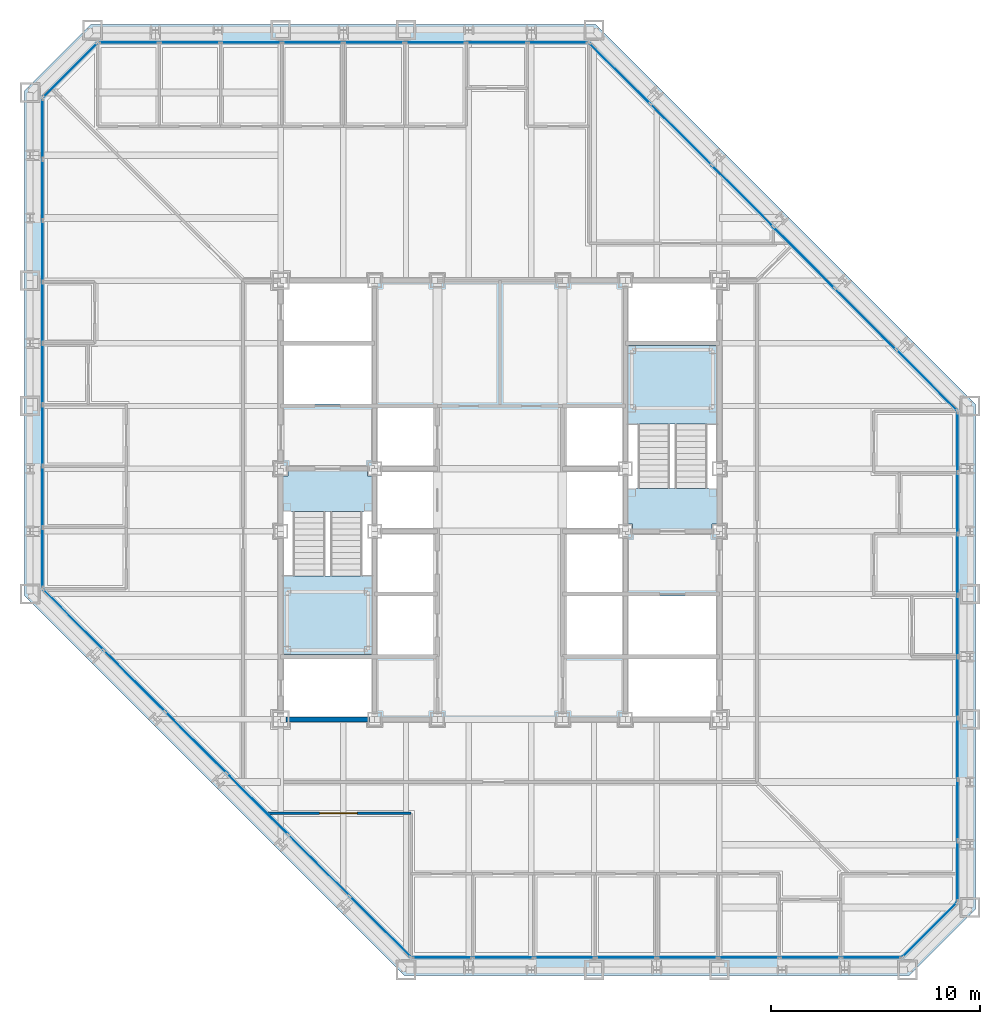
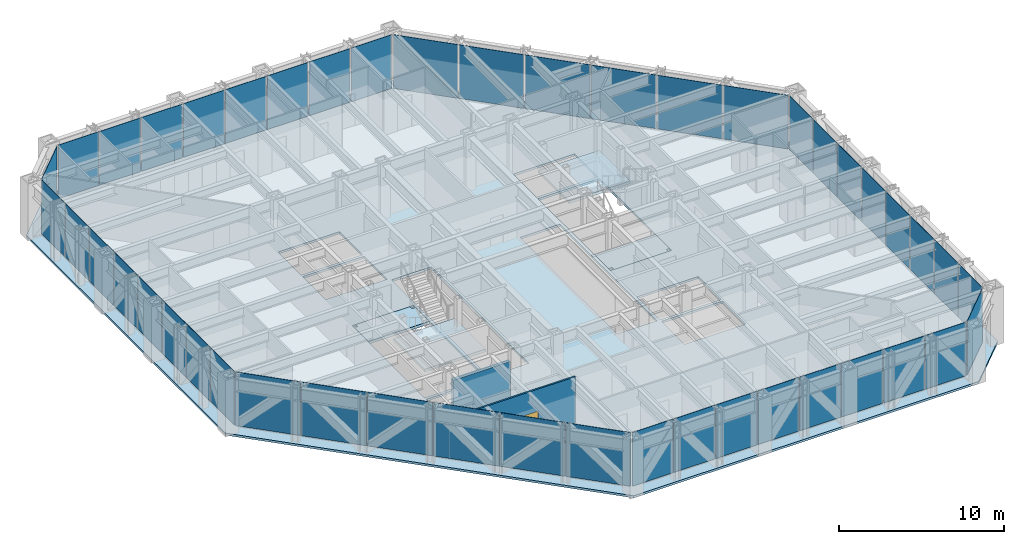
# One storey, part 9 of 17: 46 plates, 5 slabs, 2 walls, 1 door, 1 opening, 10 elements without a shape of their own.
"""IFC4 building model written with IfcOpenShell, lengths in metres."""

from ifc_helpers import new_model, si_unit, direction, frame, frame_2d, origin, origin_2d, place, context, subcontext, project, spatial, polyline, rectangle, outline, extrude, material, layer, layer_set, type_object, element, fill, aggregate, save


model = new_model("IFC4")

# Units and contexts
model_context = context("Model", 3, precision=1e-05, world=origin(), true_north=direction((0.0, 1.0)))
body_context = subcontext(model_context, "Body", "Model", "MODEL_VIEW")
ifc_project = project(units=[si_unit("LENGTHUNIT", "METRE"), si_unit("AREAUNIT", "SQUARE_METRE"), si_unit("VOLUMEUNIT", "CUBIC_METRE"), si_unit("PLANEANGLEUNIT", "RADIAN"), si_unit("MASSUNIT", "GRAM", prefix="KILO")], contexts=[model_context])

# Site, building, storey
site_placement = place(None, origin())
site = spatial("IfcSite", under=ifc_project, at=site_placement, CompositionType="ELEMENT")
building_placement = place(site_placement, origin())
building = spatial("IfcBuilding", under=site, at=building_placement, Name="Chuquiago Exchange Tower", CompositionType="ELEMENT")
storey_placement = place(building_placement, frame((0.0, 0.0, 136.199951171875)))
storey = spatial("IfcBuildingStorey", under=building, at=storey_placement, Name="L29", CompositionType="ELEMENT", Elevation=136.199951171875)

# Curtain wall, plates
ifc_material_1 = material(Name="Aluminium curtain wall system", Category="aluminium")
ifc_layer_1 = layer(ifc_material_1, 0.22509765625)
ifc_layer_set_1 = layer_set([ifc_layer_1], Name="CW2 office curtain wall")
curtain_wall_type_1 = type_object("IfcCurtainWallType", Name="CW2 office curtain wall", PredefinedType="NOTDEFINED", material=ifc_layer_set_1)
curtain_wall_1_placement = place(storey_placement, origin())
curtain_wall_1 = element("IfcCurtainWall", 1, at=curtain_wall_1_placement, inside=storey, type_object=curtain_wall_type_1, Name="CW2 curtain wall L29", PredefinedType="NOTDEFINED")
ifc_material_2 = material(Name="Glass, insulating unit", Category="glass")
ifc_layer_2 = layer(ifc_material_2, 0.030029296875)
ifc_layer_set_2 = layer_set([ifc_layer_2], Name="CW2-P panel 30")
plate_type_1 = type_object("IfcPlateType", Name="CW2-P panel 30", PredefinedType="CURTAIN_PANEL", material=ifc_layer_set_2)
plate_1_placement = place(storey_placement, frame((25.59326171875, 0.60009765625, 0.06494140625), z_axis=(0.0, 0.0, 1.0), x_axis=(1.0, 0.0, 0.0)))
plate_1 = element("IfcPlate", 2, at=plate_1_placement, type_object=plate_type_1, Name="CW2 panel 3.1", PredefinedType="CURTAIN_PANEL", context=body_context, shape_type="SweptSolid", body=[
    extrude(rectangle(XDim=2.872802734375, YDim=0.030029296875, at=origin_2d()), origin(), (0.0, 0.0, 1.0), 3.97509765625),
])
plate_2_placement = place(storey_placement, frame((34.40673828125, 0.60009765625, 0.06494140625), z_axis=(0.0, 0.0, 1.0), x_axis=(1.0, 0.0, 0.0)))
plate_2 = element("IfcPlate", 3, at=plate_2_placement, type_object=plate_type_1, Name="CW2 panel 6.1", PredefinedType="CURTAIN_PANEL", context=body_context, shape_type="SweptSolid", body=[
    extrude(rectangle(XDim=2.872802734375, YDim=0.030029296875, at=origin_2d()), origin(), (0.0, 0.0, 1.0), 3.97509765625),
])

curtain_wall_2_placement = place(storey_placement, origin())
curtain_wall_2 = element("IfcCurtainWall", 4, at=curtain_wall_2_placement, inside=storey, type_object=curtain_wall_type_1, Name="CW2 curtain wall L29", PredefinedType="NOTDEFINED")
plate_3_placement = place(storey_placement, frame((44.39990234375, 10.59326171875, 0.06494140625), z_axis=(0.0, 0.0, 1.0), x_axis=(0.0, 1.0, 0.0)))
plate_3 = element("IfcPlate", 5, at=plate_3_placement, type_object=plate_type_1, Name="CW2 panel 3.1", PredefinedType="CURTAIN_PANEL", context=body_context, shape_type="SweptSolid", body=[
    extrude(rectangle(XDim=2.872802734375, YDim=0.030029296875, at=origin_2d()), origin(), (0.0, 0.0, 1.0), 3.97509765625),
])
plate_4_placement = place(storey_placement, frame((44.39990234375, 19.40673828125, 0.06494140625), z_axis=(0.0, 0.0, 1.0), x_axis=(0.0, 1.0, 0.0)))
plate_4 = element("IfcPlate", 6, at=plate_4_placement, type_object=plate_type_1, Name="CW2 panel 6.1", PredefinedType="CURTAIN_PANEL", context=body_context, shape_type="SweptSolid", body=[
    extrude(rectangle(XDim=2.872802734375, YDim=0.030029296875, at=origin_2d()), origin(), (0.0, 0.0, 1.0), 3.97509765625),
])

curtain_wall_3_placement = place(storey_placement, origin())
curtain_wall_3 = element("IfcCurtainWall", 7, at=curtain_wall_3_placement, inside=storey, type_object=curtain_wall_type_1, Name="CW2 curtain wall L29", PredefinedType="NOTDEFINED")
plate_5_placement = place(storey_placement, frame((19.40673828125, 44.39990234375, 0.06494140625), z_axis=(0.0, 0.0, 1.0), x_axis=(-1.0, 0.0, 0.0)))
plate_5 = element("IfcPlate", 8, at=plate_5_placement, type_object=plate_type_1, Name="CW2 panel 3.1", PredefinedType="CURTAIN_PANEL", context=body_context, shape_type="SweptSolid", body=[
    extrude(rectangle(XDim=2.872802734375, YDim=0.030029296875, at=origin_2d()), origin(), (0.0, 0.0, 1.0), 3.97509765625),
])
plate_6_placement = place(storey_placement, frame((10.59326171875, 44.39990234375, 0.06494140625), z_axis=(0.0, 0.0, 1.0), x_axis=(-1.0, 0.0, 0.0)))
plate_6 = element("IfcPlate", 9, at=plate_6_placement, type_object=plate_type_1, Name="CW2 panel 6.1", PredefinedType="CURTAIN_PANEL", context=body_context, shape_type="SweptSolid", body=[
    extrude(rectangle(XDim=2.872802734375, YDim=0.030029296875, at=origin_2d()), origin(), (0.0, 0.0, 1.0), 3.97509765625),
])

curtain_wall_4_placement = place(storey_placement, origin())
curtain_wall_4 = element("IfcCurtainWall", 10, at=curtain_wall_4_placement, inside=storey, type_object=curtain_wall_type_1, Name="CW2 curtain wall L29", PredefinedType="NOTDEFINED")
plate_7_placement = place(storey_placement, frame((0.60009765625, 34.40673828125, 0.06494140625), z_axis=(0.0, 0.0, 1.0), x_axis=(0.0, -1.0, 0.0)))
plate_7 = element("IfcPlate", 11, at=plate_7_placement, type_object=plate_type_1, Name="CW2 panel 3.1", PredefinedType="CURTAIN_PANEL", context=body_context, shape_type="SweptSolid", body=[
    extrude(rectangle(XDim=2.872802734375, YDim=0.030029296875, at=origin_2d()), origin(), (0.0, 0.0, 1.0), 3.97509765625),
])
plate_8_placement = place(storey_placement, frame((0.60009765625, 25.59326171875, 0.06494140625), z_axis=(0.0, 0.0, 1.0), x_axis=(0.0, -1.0, 0.0)))
plate_8 = element("IfcPlate", 12, at=plate_8_placement, type_object=plate_type_1, Name="CW2 panel 6.1", PredefinedType="CURTAIN_PANEL", context=body_context, shape_type="SweptSolid", body=[
    extrude(rectangle(XDim=2.872802734375, YDim=0.030029296875, at=origin_2d()), origin(), (0.0, 0.0, 1.0), 3.97509765625),
])

# Plate
ifc_material_3 = material(Name="Insulated spandrel panel, pale anodised aluminium", Category="aluminium")
ifc_layer_3 = layer(ifc_material_3, 0.030029296875)
ifc_layer_set_3 = layer_set([ifc_layer_3], Name="CW2-P spandrel panel 30")
plate_type_2 = type_object("IfcPlateType", Name="CW2-P spandrel panel 30", PredefinedType="CURTAIN_PANEL", material=ifc_layer_set_3)
plate_9_placement = place(storey_placement, frame((19.733642578125, 0.60009765625, 0.06494140625), z_axis=(0.0, 0.0, 1.0), x_axis=(1.0, 0.0, 0.0)))
plate_9 = element("IfcPlate", 13, at=plate_9_placement, type_object=plate_type_2, Name="CW2 panel 1.1", PredefinedType="CURTAIN_PANEL", context=body_context, shape_type="SweptSolid", body=[
    extrude(rectangle(XDim=2.84033203125, YDim=0.030029296875, at=origin_2d()), origin(), (0.0, 0.0, 1.0), 3.97509765625),
])

plate_10_placement = place(storey_placement, frame((22.6552734375, 0.60009765625, 0.06494140625), z_axis=(0.0, 0.0, 1.0), x_axis=(1.0, 0.0, 0.0)))
plate_10 = element("IfcPlate", 14, at=plate_10_placement, type_object=plate_type_2, Name="CW2 panel 2.1", PredefinedType="CURTAIN_PANEL", context=body_context, shape_type="SweptSolid", body=[
    extrude(rectangle(XDim=2.872802734375, YDim=0.030029296875, at=origin_2d()), origin(), (0.0, 0.0, 1.0), 3.97509765625),
])

plate_11_placement = place(storey_placement, frame((28.531005859375, 0.60009765625, 0.06494140625), z_axis=(0.0, 0.0, 1.0), x_axis=(1.0, 0.0, 0.0)))
plate_11 = element("IfcPlate", 15, at=plate_11_placement, type_object=plate_type_2, Name="CW2 panel 4.1", PredefinedType="CURTAIN_PANEL", context=body_context, shape_type="SweptSolid", body=[
    extrude(rectangle(XDim=2.872802734375, YDim=0.030029296875, at=origin_2d()), origin(), (0.0, 0.0, 1.0), 3.97509765625),
])

plate_12_placement = place(storey_placement, frame((31.468994140625, 0.60009765625, 0.06494140625), z_axis=(0.0, 0.0, 1.0), x_axis=(1.0, 0.0, 0.0)))
plate_12 = element("IfcPlate", 16, at=plate_12_placement, type_object=plate_type_2, Name="CW2 panel 5.1", PredefinedType="CURTAIN_PANEL", context=body_context, shape_type="SweptSolid", body=[
    extrude(rectangle(XDim=2.872802734375, YDim=0.030029296875, at=origin_2d()), origin(), (0.0, 0.0, 1.0), 3.97509765625),
])

plate_13_placement = place(storey_placement, frame((37.3447265625, 0.60009765625, 0.06494140625), z_axis=(0.0, 0.0, 1.0), x_axis=(1.0, 0.0, 0.0)))
plate_13 = element("IfcPlate", 17, at=plate_13_placement, type_object=plate_type_2, Name="CW2 panel 7.1", PredefinedType="CURTAIN_PANEL", context=body_context, shape_type="SweptSolid", body=[
    extrude(rectangle(XDim=2.872802734375, YDim=0.030029296875, at=origin_2d()), origin(), (0.0, 0.0, 1.0), 3.97509765625),
])

plate_14_placement = place(storey_placement, frame((40.266357421875, 0.60009765625, 0.06494140625), z_axis=(0.0, 0.0, 1.0), x_axis=(1.0, 0.0, 0.0)))
plate_14 = element("IfcPlate", 18, at=plate_14_placement, type_object=plate_type_2, Name="CW2 panel 8.1", PredefinedType="CURTAIN_PANEL", context=body_context, shape_type="SweptSolid", body=[
    extrude(rectangle(XDim=2.84033203125, YDim=0.030029296875, at=origin_2d()), origin(), (0.0, 0.0, 1.0), 3.97509765625),
])

aggregate(curtain_wall_1, [plate_9, plate_10, plate_1, plate_11, plate_12, plate_2, plate_13, plate_14])

plate_15_placement = place(storey_placement, frame((44.39990234375, 4.733642578125, 0.06494140625), z_axis=(0.0, 0.0, 1.0), x_axis=(0.0, 1.0, 0.0)))
plate_15 = element("IfcPlate", 19, at=plate_15_placement, type_object=plate_type_2, Name="CW2 panel 1.1", PredefinedType="CURTAIN_PANEL", context=body_context, shape_type="SweptSolid", body=[
    extrude(rectangle(XDim=2.84033203125, YDim=0.030029296875, at=origin_2d()), origin(), (0.0, 0.0, 1.0), 3.97509765625),
])

plate_16_placement = place(storey_placement, frame((44.39990234375, 7.6552734375, 0.06494140625), z_axis=(0.0, 0.0, 1.0), x_axis=(0.0, 1.0, 0.0)))
plate_16 = element("IfcPlate", 20, at=plate_16_placement, type_object=plate_type_2, Name="CW2 panel 2.1", PredefinedType="CURTAIN_PANEL", context=body_context, shape_type="SweptSolid", body=[
    extrude(rectangle(XDim=2.872802734375, YDim=0.030029296875, at=origin_2d()), origin(), (0.0, 0.0, 1.0), 3.97509765625),
])

plate_17_placement = place(storey_placement, frame((44.39990234375, 13.531005859375, 0.06494140625), z_axis=(0.0, 0.0, 1.0), x_axis=(0.0, 1.0, 0.0)))
plate_17 = element("IfcPlate", 21, at=plate_17_placement, type_object=plate_type_2, Name="CW2 panel 4.1", PredefinedType="CURTAIN_PANEL", context=body_context, shape_type="SweptSolid", body=[
    extrude(rectangle(XDim=2.872802734375, YDim=0.030029296875, at=origin_2d()), origin(), (0.0, 0.0, 1.0), 3.97509765625),
])

plate_18_placement = place(storey_placement, frame((44.39990234375, 16.468994140625, 0.06494140625), z_axis=(0.0, 0.0, 1.0), x_axis=(0.0, 1.0, 0.0)))
plate_18 = element("IfcPlate", 22, at=plate_18_placement, type_object=plate_type_2, Name="CW2 panel 5.1", PredefinedType="CURTAIN_PANEL", context=body_context, shape_type="SweptSolid", body=[
    extrude(rectangle(XDim=2.872802734375, YDim=0.030029296875, at=origin_2d()), origin(), (0.0, 0.0, 1.0), 3.97509765625),
])

plate_19_placement = place(storey_placement, frame((44.39990234375, 22.3447265625, 0.06494140625), z_axis=(0.0, 0.0, 1.0), x_axis=(0.0, 1.0, 0.0)))
plate_19 = element("IfcPlate", 23, at=plate_19_placement, type_object=plate_type_2, Name="CW2 panel 7.1", PredefinedType="CURTAIN_PANEL", context=body_context, shape_type="SweptSolid", body=[
    extrude(rectangle(XDim=2.872802734375, YDim=0.030029296875, at=origin_2d()), origin(), (0.0, 0.0, 1.0), 3.97509765625),
])

plate_20_placement = place(storey_placement, frame((44.39990234375, 25.266357421875, 0.06494140625), z_axis=(0.0, 0.0, 1.0), x_axis=(0.0, 1.0, 0.0)))
plate_20 = element("IfcPlate", 24, at=plate_20_placement, type_object=plate_type_2, Name="CW2 panel 8.1", PredefinedType="CURTAIN_PANEL", context=body_context, shape_type="SweptSolid", body=[
    extrude(rectangle(XDim=2.84033203125, YDim=0.030029296875, at=origin_2d()), origin(), (0.0, 0.0, 1.0), 3.97509765625),
])

aggregate(curtain_wall_2, [plate_15, plate_16, plate_3, plate_17, plate_18, plate_4, plate_19, plate_20])

plate_21_placement = place(storey_placement, frame((25.266357421875, 44.39990234375, 0.06494140625), z_axis=(0.0, 0.0, 1.0), x_axis=(-1.0, 0.0, 0.0)))
plate_21 = element("IfcPlate", 25, at=plate_21_placement, type_object=plate_type_2, Name="CW2 panel 1.1", PredefinedType="CURTAIN_PANEL", context=body_context, shape_type="SweptSolid", body=[
    extrude(rectangle(XDim=2.84033203125, YDim=0.030029296875, at=origin_2d()), origin(), (0.0, 0.0, 1.0), 3.97509765625),
])

plate_22_placement = place(storey_placement, frame((22.3447265625, 44.39990234375, 0.06494140625), z_axis=(0.0, 0.0, 1.0), x_axis=(-1.0, 0.0, 0.0)))
plate_22 = element("IfcPlate", 26, at=plate_22_placement, type_object=plate_type_2, Name="CW2 panel 2.1", PredefinedType="CURTAIN_PANEL", context=body_context, shape_type="SweptSolid", body=[
    extrude(rectangle(XDim=2.872802734375, YDim=0.030029296875, at=origin_2d()), origin(), (0.0, 0.0, 1.0), 3.97509765625),
])

plate_23_placement = place(storey_placement, frame((16.468994140625, 44.39990234375, 0.06494140625), z_axis=(0.0, 0.0, 1.0), x_axis=(-1.0, 0.0, 0.0)))
plate_23 = element("IfcPlate", 27, at=plate_23_placement, type_object=plate_type_2, Name="CW2 panel 4.1", PredefinedType="CURTAIN_PANEL", context=body_context, shape_type="SweptSolid", body=[
    extrude(rectangle(XDim=2.872802734375, YDim=0.030029296875, at=origin_2d()), origin(), (0.0, 0.0, 1.0), 3.97509765625),
])

plate_24_placement = place(storey_placement, frame((13.531005859375, 44.39990234375, 0.06494140625), z_axis=(0.0, 0.0, 1.0), x_axis=(-1.0, 0.0, 0.0)))
plate_24 = element("IfcPlate", 28, at=plate_24_placement, type_object=plate_type_2, Name="CW2 panel 5.1", PredefinedType="CURTAIN_PANEL", context=body_context, shape_type="SweptSolid", body=[
    extrude(rectangle(XDim=2.872802734375, YDim=0.030029296875, at=origin_2d()), origin(), (0.0, 0.0, 1.0), 3.97509765625),
])

plate_25_placement = place(storey_placement, frame((7.6552734375, 44.39990234375, 0.06494140625), z_axis=(0.0, 0.0, 1.0), x_axis=(-1.0, 0.0, 0.0)))
plate_25 = element("IfcPlate", 29, at=plate_25_placement, type_object=plate_type_2, Name="CW2 panel 7.1", PredefinedType="CURTAIN_PANEL", context=body_context, shape_type="SweptSolid", body=[
    extrude(rectangle(XDim=2.872802734375, YDim=0.030029296875, at=origin_2d()), origin(), (0.0, 0.0, 1.0), 3.97509765625),
])

plate_26_placement = place(storey_placement, frame((4.733642578125, 44.39990234375, 0.06494140625), z_axis=(0.0, 0.0, 1.0), x_axis=(-1.0, 0.0, 0.0)))
plate_26 = element("IfcPlate", 30, at=plate_26_placement, type_object=plate_type_2, Name="CW2 panel 8.1", PredefinedType="CURTAIN_PANEL", context=body_context, shape_type="SweptSolid", body=[
    extrude(rectangle(XDim=2.84033203125, YDim=0.030029296875, at=origin_2d()), origin(), (0.0, 0.0, 1.0), 3.97509765625),
])

aggregate(curtain_wall_3, [plate_21, plate_22, plate_5, plate_23, plate_24, plate_6, plate_25, plate_26])

plate_27_placement = place(storey_placement, frame((0.60009765625, 40.266357421875, 0.06494140625), z_axis=(0.0, 0.0, 1.0), x_axis=(0.0, -1.0, 0.0)))
plate_27 = element("IfcPlate", 31, at=plate_27_placement, type_object=plate_type_2, Name="CW2 panel 1.1", PredefinedType="CURTAIN_PANEL", context=body_context, shape_type="SweptSolid", body=[
    extrude(rectangle(XDim=2.84033203125, YDim=0.030029296875, at=origin_2d()), origin(), (0.0, 0.0, 1.0), 3.97509765625),
])

plate_28_placement = place(storey_placement, frame((0.60009765625, 37.3447265625, 0.06494140625), z_axis=(0.0, 0.0, 1.0), x_axis=(0.0, -1.0, 0.0)))
plate_28 = element("IfcPlate", 32, at=plate_28_placement, type_object=plate_type_2, Name="CW2 panel 2.1", PredefinedType="CURTAIN_PANEL", context=body_context, shape_type="SweptSolid", body=[
    extrude(rectangle(XDim=2.872802734375, YDim=0.030029296875, at=origin_2d()), origin(), (0.0, 0.0, 1.0), 3.97509765625),
])

plate_29_placement = place(storey_placement, frame((0.60009765625, 31.468994140625, 0.06494140625), z_axis=(0.0, 0.0, 1.0), x_axis=(0.0, -1.0, 0.0)))
plate_29 = element("IfcPlate", 33, at=plate_29_placement, type_object=plate_type_2, Name="CW2 panel 4.1", PredefinedType="CURTAIN_PANEL", context=body_context, shape_type="SweptSolid", body=[
    extrude(rectangle(XDim=2.872802734375, YDim=0.030029296875, at=origin_2d()), origin(), (0.0, 0.0, 1.0), 3.97509765625),
])

plate_30_placement = place(storey_placement, frame((0.60009765625, 28.531005859375, 0.06494140625), z_axis=(0.0, 0.0, 1.0), x_axis=(0.0, -1.0, 0.0)))
plate_30 = element("IfcPlate", 34, at=plate_30_placement, type_object=plate_type_2, Name="CW2 panel 5.1", PredefinedType="CURTAIN_PANEL", context=body_context, shape_type="SweptSolid", body=[
    extrude(rectangle(XDim=2.872802734375, YDim=0.030029296875, at=origin_2d()), origin(), (0.0, 0.0, 1.0), 3.97509765625),
])

plate_31_placement = place(storey_placement, frame((0.60009765625, 22.6552734375, 0.06494140625), z_axis=(0.0, 0.0, 1.0), x_axis=(0.0, -1.0, 0.0)))
plate_31 = element("IfcPlate", 35, at=plate_31_placement, type_object=plate_type_2, Name="CW2 panel 7.1", PredefinedType="CURTAIN_PANEL", context=body_context, shape_type="SweptSolid", body=[
    extrude(rectangle(XDim=2.872802734375, YDim=0.030029296875, at=origin_2d()), origin(), (0.0, 0.0, 1.0), 3.97509765625),
])

plate_32_placement = place(storey_placement, frame((0.60009765625, 19.733642578125, 0.06494140625), z_axis=(0.0, 0.0, 1.0), x_axis=(0.0, -1.0, 0.0)))
plate_32 = element("IfcPlate", 36, at=plate_32_placement, type_object=plate_type_2, Name="CW2 panel 8.1", PredefinedType="CURTAIN_PANEL", context=body_context, shape_type="SweptSolid", body=[
    extrude(rectangle(XDim=2.84033203125, YDim=0.030029296875, at=origin_2d()), origin(), (0.0, 0.0, 1.0), 3.97509765625),
])

aggregate(curtain_wall_4, [plate_27, plate_28, plate_7, plate_29, plate_30, plate_8, plate_31, plate_32])

# Curtain wall, plate
ifc_material_4 = material(Name="Aluminium curtain wall system", Category="aluminium")
ifc_layer_4 = layer(ifc_material_4, 0.199951171875)
ifc_layer_set_4 = layer_set([ifc_layer_4], Name="CW3 facet curtain wall")
curtain_wall_type_2 = type_object("IfcCurtainWallType", Name="CW3 facet curtain wall", PredefinedType="NOTDEFINED", material=ifc_layer_set_4)
curtain_wall_5_placement = place(storey_placement, origin())
curtain_wall_5 = element("IfcCurtainWall", 37, at=curtain_wall_5_placement, inside=storey, type_object=curtain_wall_type_2, Name="CW3 curtain wall L29", PredefinedType="NOTDEFINED")
ifc_material_5 = material(Name="Insulated spandrel panel, pale anodised aluminium", Category="aluminium")
ifc_layer_5 = layer(ifc_material_5, 0.030029296875)
ifc_layer_set_5 = layer_set([ifc_layer_5], Name="CW3-P spandrel panel 30")
plate_type_3 = type_object("IfcPlateType", Name="CW3-P spandrel panel 30", PredefinedType="CURTAIN_PANEL", material=ifc_layer_set_5)
plate_33_placement = place(storey_placement, frame((43.07568359375, 1.92431640625, 0.06494140625), z_axis=(0.0, 0.0, 1.0), x_axis=(0.707106781187, 0.707106781187, 0.0)))
plate_33 = element("IfcPlate", 38, at=plate_33_placement, type_object=plate_type_3, Name="CW3 panel 1.1", PredefinedType="CURTAIN_PANEL", context=body_context, shape_type="SweptSolid", body=[
    extrude(rectangle(XDim=3.615478515625, YDim=0.030029296875, at=origin_2d()), origin(), (0.0, 0.0, 1.0), 3.97509765625),
])
aggregate(curtain_wall_5, [plate_33])

# Curtain wall, plates
curtain_wall_6_placement = place(storey_placement, origin())
curtain_wall_6 = element("IfcCurtainWall", 39, at=curtain_wall_6_placement, inside=storey, type_object=curtain_wall_type_2, Name="CW3 curtain wall L29", PredefinedType="NOTDEFINED")
plate_34_placement = place(storey_placement, frame((42.917724609375, 28.233642578125, 0.06494140625), z_axis=(0.0, 0.0, 1.0), x_axis=(-0.707106781187, 0.707106781187, 0.0)))
plate_34 = element("IfcPlate", 40, at=plate_34_placement, type_object=plate_type_3, Name="CW3 panel 1.1", PredefinedType="CURTAIN_PANEL", context=body_context, shape_type="SweptSolid", body=[
    extrude(rectangle(XDim=4.062255859375, YDim=0.030029296875, at=origin_2d()), origin(), (0.0, 0.0, 1.0), 3.97509765625),
])
plate_35_placement = place(storey_placement, frame((39.98779296875, 31.16357421875, 0.06494140625), z_axis=(0.0, 0.0, 1.0), x_axis=(-0.707106781187, 0.707106781187, 0.0)))
plate_35 = element("IfcPlate", 41, at=plate_35_placement, type_object=plate_type_3, Name="CW3 panel 2.1", PredefinedType="CURTAIN_PANEL", context=body_context, shape_type="SweptSolid", body=[
    extrude(rectangle(XDim=4.0947265625, YDim=0.030029296875, at=origin_2d()), origin(), (0.0, 0.0, 1.0), 3.97509765625),
])
plate_36_placement = place(storey_placement, frame((37.04638671875, 34.10498046875, 0.06494140625), z_axis=(0.0, 0.0, 1.0), x_axis=(-0.707106781187, 0.707106781187, 0.0)))
plate_36 = element("IfcPlate", 42, at=plate_36_placement, type_object=plate_type_3, Name="CW3 panel 3.1", PredefinedType="CURTAIN_PANEL", context=body_context, shape_type="SweptSolid", body=[
    extrude(rectangle(XDim=4.0947265625, YDim=0.030029296875, at=origin_2d()), origin(), (0.0, 0.0, 1.0), 3.97509765625),
])
plate_37_placement = place(storey_placement, frame((34.10498046875, 37.04638671875, 0.06494140625), z_axis=(0.0, 0.0, 1.0), x_axis=(-0.707106781187, 0.707106781187, 0.0)))
plate_37 = element("IfcPlate", 43, at=plate_37_placement, type_object=plate_type_3, Name="CW3 panel 4.1", PredefinedType="CURTAIN_PANEL", context=body_context, shape_type="SweptSolid", body=[
    extrude(rectangle(XDim=4.0947265625, YDim=0.030029296875, at=origin_2d()), origin(), (0.0, 0.0, 1.0), 3.97509765625),
])
plate_38_placement = place(storey_placement, frame((31.16357421875, 39.98779296875, 0.06494140625), z_axis=(0.0, 0.0, 1.0), x_axis=(-0.707106781187, 0.707106781187, 0.0)))
plate_38 = element("IfcPlate", 44, at=plate_38_placement, type_object=plate_type_3, Name="CW3 panel 5.1", PredefinedType="CURTAIN_PANEL", context=body_context, shape_type="SweptSolid", body=[
    extrude(rectangle(XDim=4.0947265625, YDim=0.030029296875, at=origin_2d()), origin(), (0.0, 0.0, 1.0), 3.97509765625),
])
plate_39_placement = place(storey_placement, frame((28.233642578125, 42.917724609375, 0.06494140625), z_axis=(0.0, 0.0, 1.0), x_axis=(-0.707106781187, 0.707106781187, 0.0)))
plate_39 = element("IfcPlate", 45, at=plate_39_placement, type_object=plate_type_3, Name="CW3 panel 6.1", PredefinedType="CURTAIN_PANEL", context=body_context, shape_type="SweptSolid", body=[
    extrude(rectangle(XDim=4.062255859375, YDim=0.030029296875, at=origin_2d()), origin(), (0.0, 0.0, 1.0), 3.97509765625),
])
aggregate(curtain_wall_6, [plate_34, plate_35, plate_36, plate_37, plate_38, plate_39])

# Curtain wall, plate
curtain_wall_7_placement = place(storey_placement, origin())
curtain_wall_7 = element("IfcCurtainWall", 46, at=curtain_wall_7_placement, inside=storey, type_object=curtain_wall_type_2, Name="CW3 curtain wall L29", PredefinedType="NOTDEFINED")
plate_40_placement = place(storey_placement, frame((1.92431640625, 43.07568359375, 0.06494140625), z_axis=(0.0, 0.0, 1.0), x_axis=(-0.707106781187, -0.707106781187, 0.0)))
plate_40 = element("IfcPlate", 47, at=plate_40_placement, type_object=plate_type_3, Name="CW3 panel 1.1", PredefinedType="CURTAIN_PANEL", context=body_context, shape_type="SweptSolid", body=[
    extrude(rectangle(XDim=3.615478515625, YDim=0.030029296875, at=origin_2d()), origin(), (0.0, 0.0, 1.0), 3.97509765625),
])
aggregate(curtain_wall_7, [plate_40])

# Curtain wall, plates
curtain_wall_8_placement = place(storey_placement, origin())
curtain_wall_8 = element("IfcCurtainWall", 48, at=curtain_wall_8_placement, inside=storey, type_object=curtain_wall_type_2, Name="CW3 curtain wall L29", PredefinedType="NOTDEFINED")
plate_41_placement = place(storey_placement, frame((2.082275390625, 16.766357421875, 0.06494140625), z_axis=(0.0, 0.0, 1.0), x_axis=(0.707106781187, -0.707106781187, 0.0)))
plate_41 = element("IfcPlate", 49, at=plate_41_placement, type_object=plate_type_3, Name="CW3 panel 1.1", PredefinedType="CURTAIN_PANEL", context=body_context, shape_type="SweptSolid", body=[
    extrude(rectangle(XDim=4.062255859375, YDim=0.030029296875, at=origin_2d()), origin(), (0.0, 0.0, 1.0), 3.97509765625),
])
plate_42_placement = place(storey_placement, frame((5.01220703125, 13.83642578125, 0.06494140625), z_axis=(0.0, 0.0, 1.0), x_axis=(0.707106781187, -0.707106781187, 0.0)))
plate_42 = element("IfcPlate", 50, at=plate_42_placement, type_object=plate_type_3, Name="CW3 panel 2.1", PredefinedType="CURTAIN_PANEL", context=body_context, shape_type="SweptSolid", body=[
    extrude(rectangle(XDim=4.0947265625, YDim=0.030029296875, at=origin_2d()), origin(), (0.0, 0.0, 1.0), 3.97509765625),
])
plate_43_placement = place(storey_placement, frame((7.95361328125, 10.89501953125, 0.06494140625), z_axis=(0.0, 0.0, 1.0), x_axis=(0.707106781187, -0.707106781187, 0.0)))
plate_43 = element("IfcPlate", 51, at=plate_43_placement, type_object=plate_type_3, Name="CW3 panel 3.1", PredefinedType="CURTAIN_PANEL", context=body_context, shape_type="SweptSolid", body=[
    extrude(rectangle(XDim=4.0947265625, YDim=0.030029296875, at=origin_2d()), origin(), (0.0, 0.0, 1.0), 3.97509765625),
])
plate_44_placement = place(storey_placement, frame((10.89501953125, 7.95361328125, 0.06494140625), z_axis=(0.0, 0.0, 1.0), x_axis=(0.707106781187, -0.707106781187, 0.0)))
plate_44 = element("IfcPlate", 52, at=plate_44_placement, type_object=plate_type_3, Name="CW3 panel 4.1", PredefinedType="CURTAIN_PANEL", context=body_context, shape_type="SweptSolid", body=[
    extrude(rectangle(XDim=4.0947265625, YDim=0.030029296875, at=origin_2d()), origin(), (0.0, 0.0, 1.0), 3.97509765625),
])
plate_45_placement = place(storey_placement, frame((13.83642578125, 5.01220703125, 0.06494140625), z_axis=(0.0, 0.0, 1.0), x_axis=(0.707106781187, -0.707106781187, 0.0)))
plate_45 = element("IfcPlate", 53, at=plate_45_placement, type_object=plate_type_3, Name="CW3 panel 5.1", PredefinedType="CURTAIN_PANEL", context=body_context, shape_type="SweptSolid", body=[
    extrude(rectangle(XDim=4.0947265625, YDim=0.030029296875, at=origin_2d()), origin(), (0.0, 0.0, 1.0), 3.97509765625),
])
plate_46_placement = place(storey_placement, frame((16.766357421875, 2.082275390625, 0.06494140625), z_axis=(0.0, 0.0, 1.0), x_axis=(0.707106781187, -0.707106781187, 0.0)))
plate_46 = element("IfcPlate", 54, at=plate_46_placement, type_object=plate_type_3, Name="CW3 panel 6.1", PredefinedType="CURTAIN_PANEL", context=body_context, shape_type="SweptSolid", body=[
    extrude(rectangle(XDim=4.062255859375, YDim=0.030029296875, at=origin_2d()), origin(), (0.0, 0.0, 1.0), 3.97509765625),
])
aggregate(curtain_wall_8, [plate_41, plate_42, plate_43, plate_44, plate_45, plate_46])

# Slab
ifc_material_6 = material(Name="Concrete C30/37", Category="concrete")
ifc_layer_6 = layer(ifc_material_6, 0.159912109375)
ifc_layer_set_6 = layer_set([ifc_layer_6], Name="FS1 composite floor 160")
slab_type_1 = type_object("IfcSlabType", Name="FS1 composite floor 160", PredefinedType="FLOOR", material=ifc_layer_set_6)
slab_1_placement = place(storey_placement, frame((0.0, 0.0, -0.159912109375)))
element("IfcSlab", 55, at=slab_1_placement, inside=storey, type_object=slab_type_1, Name="L29 floor slab", PredefinedType="FLOOR", context=body_context, shape_type="SweptSolid", body=[
    extrude(outline(polyline([(17.896484375, -0.25), (-0.25, 17.896484375), (-0.25, 42.103515625), (2.896484375, 45.25), (27.103515625, 45.25), (45.25, 27.103515625), (45.25, 2.896484375), (42.103515625, -0.25), (17.896484375, -0.25)]), holes=[polyline([(16.39990234375, 15.10009765625), (12.10009765625, 15.10009765625), (12.10009765625, 23.89990234375), (16.39990234375, 23.89990234375), (16.39990234375, 15.10009765625)]), polyline([(32.89990234375, 21.10009765625), (28.60009765625, 21.10009765625), (28.60009765625, 29.89990234375), (32.89990234375, 29.89990234375), (32.89990234375, 21.10009765625)]), polyline([(16.39990234375, 12.10009765625), (12.10009765625, 12.10009765625), (12.10009765625, 14.89990234375), (16.39990234375, 14.89990234375), (16.39990234375, 12.10009765625)]), polyline([(16.39990234375, 30.10009765625), (12.10009765625, 30.10009765625), (12.10009765625, 32.89990234375), (16.39990234375, 32.89990234375), (16.39990234375, 30.10009765625)]), polyline([(32.89990234375, 12.10009765625), (28.60009765625, 12.10009765625), (28.60009765625, 14.89990234375), (32.89990234375, 14.89990234375), (32.89990234375, 12.10009765625)]), polyline([(32.89990234375, 30.10009765625), (28.60009765625, 30.10009765625), (28.60009765625, 32.89990234375), (32.89990234375, 32.89990234375), (32.89990234375, 30.10009765625)]), polyline([(16.39990234375, 27.10009765625), (12.10009765625, 27.10009765625), (12.10009765625, 29.89990234375), (16.39990234375, 29.89990234375), (16.39990234375, 27.10009765625)]), polyline([(32.89990234375, 15.10009765625), (28.60009765625, 15.10009765625), (28.60009765625, 17.89990234375), (32.89990234375, 17.89990234375), (32.89990234375, 15.10009765625)]), polyline([(19.39990234375, 15.10009765625), (16.60009765625, 15.10009765625), (16.60009765625, 26.89990234375), (19.39990234375, 26.89990234375), (19.39990234375, 15.10009765625)]), polyline([(28.39990234375, 15.10009765625), (25.60009765625, 15.10009765625), (25.60009765625, 26.89990234375), (28.39990234375, 26.89990234375), (28.39990234375, 15.10009765625)])]), origin(), (0.0, 0.0, 1.0), 0.159912109375),
])

# Stair, slabs
ifc_material_7 = material(Name="Concrete C30/37, precast", Category="concrete")
stair_type_1 = type_object("IfcStairType", Name="ST1 half-turn stair 4200", PredefinedType="HALF_TURN_STAIR", material=ifc_material_7)
stair_1_placement = place(storey_placement, origin())
stair_1 = element("IfcStair", 56, at=stair_1_placement, inside=storey, type_object=stair_type_1, Name="Stair ST1 L29", PredefinedType="HALF_TURN_STAIR")
ifc_material_8 = material(Name="Concrete C30/37, precast", Category="concrete")
ifc_layer_7 = layer(ifc_material_8, 0.199951171875)
ifc_layer_set_7 = layer_set([ifc_layer_7], Name="ST-L landing 200")
slab_type_2 = type_object("IfcSlabType", Name="ST-L landing 200", PredefinedType="LANDING", material=ifc_layer_set_7)
slab_2_placement = place(storey_placement, frame((0.0, 0.0, -0.199951171875)))
slab_2 = element("IfcSlab", 57, at=slab_2_placement, type_object=slab_type_2, Name="ST1 landing 1", PredefinedType="LANDING", context=body_context, shape_type="SweptSolid", body=[
    extrude(outline(polyline([(12.35009765625, 23.89990234375), (16.14990234375, 23.89990234375), (16.14990234375, 23.64990234375), (16.39990234375, 23.64990234375), (16.39990234375, 21.949951171875), (12.10009765625, 21.949951171875), (12.10009765625, 23.64990234375), (12.35009765625, 23.64990234375), (12.35009765625, 23.89990234375)])), origin(), (0.0, 0.0, 1.0), 0.199951171875),
])
slab_3_placement = place(storey_placement, frame((0.0, 0.0, 1.900146484375)))
slab_3 = element("IfcSlab", 58, at=slab_3_placement, type_object=slab_type_2, Name="ST1 landing 2", PredefinedType="LANDING", context=body_context, shape_type="SweptSolid", body=[
    extrude(outline(polyline([(12.10009765625, 18.8701171875), (16.39990234375, 18.8701171875), (16.39990234375, 15.10009765625), (12.10009765625, 15.10009765625), (12.10009765625, 18.8701171875)])), origin(), (0.0, 0.0, 1.0), 0.199951171875),
])
aggregate(stair_1, [slab_2, slab_3])

ifc_material_9 = material(Name="Concrete C30/37, precast", Category="concrete")
stair_type_2 = type_object("IfcStairType", Name="ST2 half-turn stair 4200", PredefinedType="HALF_TURN_STAIR", material=ifc_material_9)
stair_2_placement = place(storey_placement, origin())
stair_2 = element("IfcStair", 59, at=stair_2_placement, inside=storey, type_object=stair_type_2, Name="Stair ST2 L29", PredefinedType="HALF_TURN_STAIR")
slab_4_placement = place(storey_placement, frame((0.0, 0.0, -0.199951171875)))
slab_4 = element("IfcSlab", 60, at=slab_4_placement, type_object=slab_type_2, Name="ST2 landing 1", PredefinedType="LANDING", context=body_context, shape_type="SweptSolid", body=[
    extrude(outline(polyline([(32.64990234375, 21.35009765625), (32.64990234375, 21.10009765625), (28.85009765625, 21.10009765625), (28.85009765625, 21.35009765625), (28.60009765625, 21.35009765625), (28.60009765625, 23.050048828125), (32.89990234375, 23.050048828125), (32.89990234375, 21.35009765625), (32.64990234375, 21.35009765625)])), origin(), (0.0, 0.0, 1.0), 0.199951171875),
])
slab_5_placement = place(storey_placement, frame((0.0, 0.0, 1.900146484375)))
slab_5 = element("IfcSlab", 61, at=slab_5_placement, type_object=slab_type_2, Name="ST2 landing 2", PredefinedType="LANDING", context=body_context, shape_type="SweptSolid", body=[
    extrude(outline(polyline([(28.60009765625, 29.89990234375), (32.89990234375, 29.89990234375), (32.89990234375, 26.1298828125), (28.60009765625, 26.1298828125), (28.60009765625, 29.89990234375)])), origin(), (0.0, 0.0, 1.0), 0.199951171875),
])
aggregate(stair_2, [slab_4, slab_5])

# Wall
ifc_material_10 = material(Name="Concrete masonry, fully grouted", Category="masonry")
ifc_layer_8 = layer(ifc_material_10, 0.25)
ifc_layer_set_8 = layer_set([ifc_layer_8], Name="W1 core wall 250")
wall_type_1 = type_object("IfcWallType", Name="W1 core wall 250", PredefinedType="SOLIDWALL", material=ifc_layer_set_8)
wall_1_placement = place(storey_placement, frame((12.25, 12.0, 0.0), z_axis=(0.0, 0.0, 1.0), x_axis=(1.0, 0.0, 0.0)))
element("IfcWall", 62, at=wall_1_placement, inside=storey, type_object=wall_type_1, Name="CW-L29-01-0", PredefinedType="SOLIDWALL", context=body_context, shape_type="SweptSolid", body=[
    extrude(rectangle(XDim=4.0, YDim=0.25, at=frame_2d((2.0, 0.0))), origin(), (0.0, 0.0, 1.0), 3.181640625),
])

# Wall, opening, door
ifc_material_11 = material(Name="Gypsum board on steel studs", Category="steel")
ifc_layer_9 = layer(ifc_material_11, 0.1201171875)
ifc_layer_set_9 = layer_set([ifc_layer_9], Name="W4 partition 120")
wall_type_2 = type_object("IfcWallType", Name="W4 partition 120", PredefinedType="PARTITIONING", material=ifc_layer_set_9)
wall_2_placement = place(storey_placement, frame((11.385498046875, 7.5, 0.0), z_axis=(0.0, 0.0, 1.0), x_axis=(1.0, 0.0, 0.0)))
wall_2 = element("IfcWall", 63, at=wall_2_placement, inside=storey, type_object=wall_type_2, Name="PW-L29-SF00942", PredefinedType="PARTITIONING", context=body_context, shape_type="SweptSolid", body=[
    extrude(rectangle(XDim=6.863037109375, YDim=0.1201171875, at=frame_2d((3.431640625, 0.0))), origin(), (0.0, 0.0, 1.0), 4.0400390625),
])
opening_placement = place(wall_2_placement, frame((2.479248046875, 0.0, 0.0)))
opening = element("IfcOpeningElement", 64, at=opening_placement, cuts=wall_2, Name="Opening L29-019", PredefinedType="OPENING", context=body_context, shape_type="SweptSolid", body=[
    extrude(rectangle(XDim=1.800048828125, YDim=2.39990234375, at=frame_2d((0.89990234375, 1.199951171875))), frame((0.0, 0.070068359375, 0.0), z_axis=(0.0, -1.0, 0.0), x_axis=(1.0, 0.0, 0.0)), (0.0, 0.0, 1.0), 0.14013671875),
])
ifc_material_12 = material(Name="Timber door pair, laminate faced", Category="wood")
door_type = type_object("IfcDoorType", Name="D15 double room door 1800x2400", OperationType="DOUBLE_DOOR_DOUBLE_SWING", PredefinedType="DOOR", material=ifc_material_12)
door_placement = place(opening_placement, origin())
door = element("IfcDoor", 65, at=door_placement, inside=storey, type_object=door_type, Name="Broker lounge door", OperationType="DOUBLE_DOOR_DOUBLE_SWING", OverallHeight=2.39990234375, OverallWidth=1.800048828125, PredefinedType="DOOR", context=body_context, shape_type="SweptSolid", body=[
    extrude(rectangle(XDim=1.800048828125, YDim=2.39990234375, at=frame_2d((0.89990234375, 1.199951171875))), frame((0.0, 0.02490234375, 0.0), z_axis=(0.0, -1.0, 0.0), x_axis=(1.0, 0.0, 0.0)), (0.0, 0.0, 1.0), 0.050048828125),
])
fill(opening, door)

save(model, "model.ifc")
